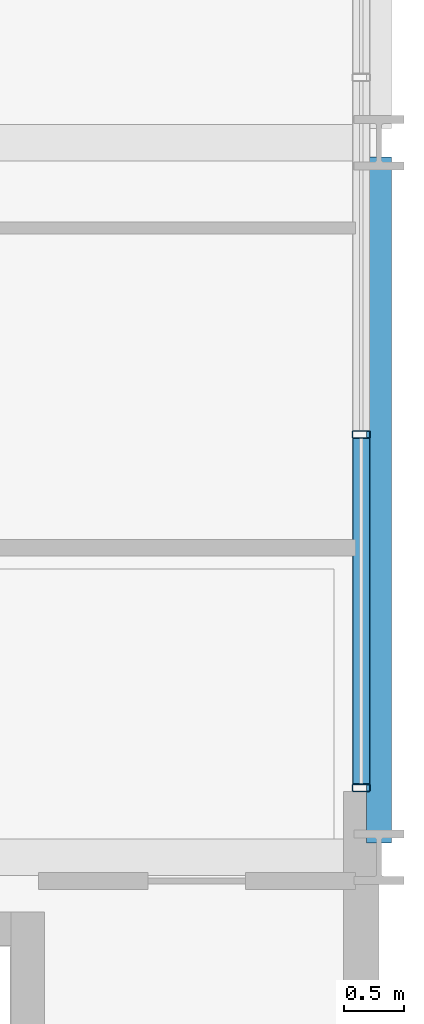
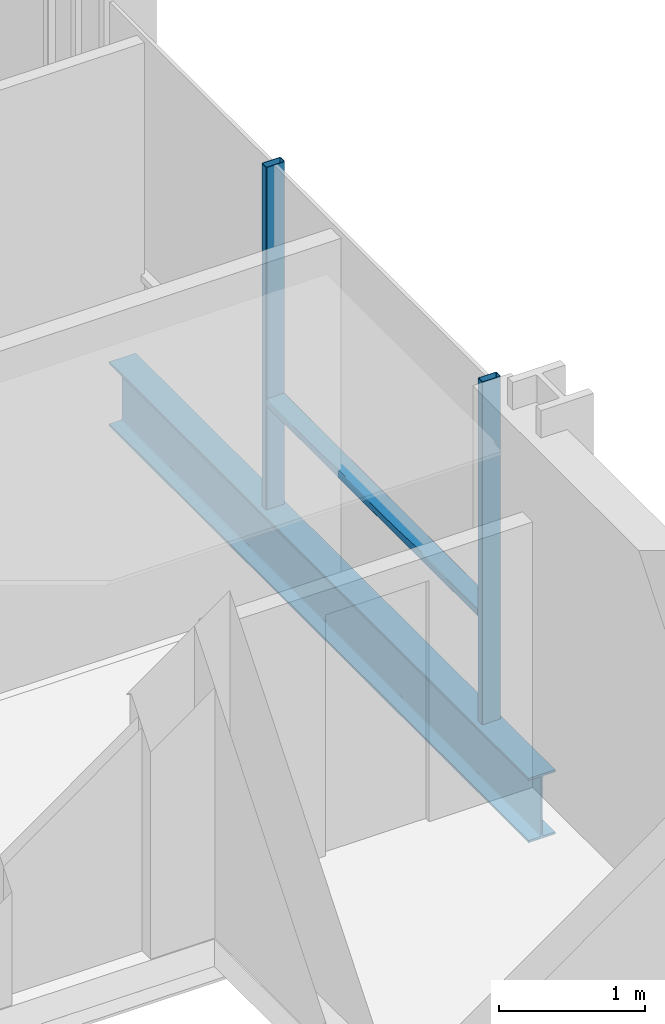
# One storey, part 15 of 41: 3 members, 1 beam, 1 element without a shape of its own.
"""IFC4 building model written with IfcOpenShell, lengths in metres."""

from ifc_helpers import new_model, si_unit, direction, frame, origin, origin_2d, place, context, subcontext, project, spatial, hollow_rectangle, i_section, extrude, material, layer, layer_set, material_profile, profile_set, type_object, element, aggregate, save


model = new_model("IFC4")

# Units and contexts
model_context = context("Model", 3, precision=1e-05, world=origin(), true_north=direction((0.0, 1.0)))
body_context = subcontext(model_context, "Body", "Model", "MODEL_VIEW")
ifc_project = project(units=[si_unit("LENGTHUNIT", "METRE"), si_unit("AREAUNIT", "SQUARE_METRE"), si_unit("VOLUMEUNIT", "CUBIC_METRE"), si_unit("PLANEANGLEUNIT", "RADIAN"), si_unit("MASSUNIT", "GRAM", prefix="KILO")], contexts=[model_context])

# Site, building, storey
site_placement = place(None, origin())
site = spatial("IfcSite", under=ifc_project, at=site_placement, CompositionType="ELEMENT")
building_placement = place(site_placement, origin())
building = spatial("IfcBuilding", under=site, at=building_placement, Name="Brevholm Reach", CompositionType="ELEMENT")
storey_placement = place(building_placement, frame((0.0, 0.0, 68.300048828125)))
storey = spatial("IfcBuildingStorey", under=building, at=storey_placement, Name="L19", CompositionType="ELEMENT", Elevation=68.300048828125)

# Beam
ifc_material_1 = material(Name="Structural Steel S355J2", Category="steel")
ifc_material_profile_1 = material_profile(ifc_material_1, i_section(OverallWidth=0.210693359375, OverallDepth=0.53955078125, WebThickness=0.01171875, FlangeThickness=0.018798828125, FilletRadius=0.0126953125, at=origin_2d()), Name="UKB 533x210x109")
ifc_profile_set_1 = profile_set([ifc_material_profile_1], Name="Structural Steel S355J2")
beam_type = type_object("IfcBeamType", Name="BM-SP539", PredefinedType="SPANDREL", material=ifc_profile_set_1)
beam_placement = place(storey_placement, frame((60.0, 10.1201171875, -0.499755859375), z_axis=(0.0, 1.0, 0.0), x_axis=(-1.0, 0.0, 0.0)))
element("IfcBeam", 1, at=beam_placement, inside=storey, type_object=beam_type, Name="L19 SP-01B Framing Beam", PredefinedType="SPANDREL", context=body_context, shape_type="SweptSolid", body=[
    extrude(i_section(OverallWidth=0.210693359375, OverallDepth=0.53955078125, WebThickness=0.01171875, FlangeThickness=0.018798828125, FilletRadius=0.0126953125, at=origin_2d()), origin(), (0.0, 0.0, 1.0), 5.759765625),
])

# Curtain wall, members
ifc_material_2 = material(Name="Dark Anodised Aluminium 6063-T6 and Solar-Control Glass", Category="aluminium")
ifc_layer = layer(ifc_material_2, 0.14990234375)
ifc_layer_set = layer_set([ifc_layer], Name="Dark Anodised Aluminium 6063-T6 and Solar-Control Glass")
curtain_wall_type = type_object("IfcCurtainWallType", Name="CW-01", PredefinedType="NOTDEFINED", material=ifc_layer_set)
curtain_wall_placement = place(storey_placement, origin())
curtain_wall = element("IfcCurtainWall", 2, at=curtain_wall_placement, inside=storey, type_object=curtain_wall_type, Name="L19 Curtain Wall CW-01", PredefinedType="NOTDEFINED")
ifc_material_3 = material(Name="Dark Anodised Aluminium 6063-T6", Category="aluminium")
ifc_material_profile_2 = material_profile(ifc_material_3, hollow_rectangle(XDim=0.06494140625, YDim=0.14990234375, WallThickness=0.0048828125, InnerFilletRadius=0.0048828125, OuterFilletRadius=0.010009765625, at=origin_2d()), Name="RHS 150x65x5")
ifc_profile_set_2 = profile_set([ifc_material_profile_2], Name="Dark Anodised Aluminium 6063-T6")
member_type_1 = type_object("IfcMemberType", Name="CWM-150", PredefinedType="MULLION", material=ifc_profile_set_2)
member_1_placement = place(storey_placement, frame((59.85009765625, 10.58251953125, 0.0), z_axis=(0.0, 0.0, 1.0), x_axis=(0.0, 1.0, 0.0)))
member_1 = element("IfcMember", 3, at=member_1_placement, type_object=member_type_1, Name="CM-150 Mullion 1", PredefinedType="MULLION", context=body_context, shape_type="SweptSolid", body=[
    extrude(hollow_rectangle(XDim=0.06494140625, YDim=0.14990234375, WallThickness=0.0048828125, InnerFilletRadius=0.0048828125, OuterFilletRadius=0.010009765625, at=origin_2d()), origin(), (0.0, 0.0, 1.0), 2.869873046875),
])
member_2_placement = place(storey_placement, frame((59.85009765625, 13.550048828125, 0.0), z_axis=(0.0, 0.0, 1.0), x_axis=(0.0, 1.0, 0.0)))
member_2 = element("IfcMember", 4, at=member_2_placement, type_object=member_type_1, Name="CM-150 Mullion 2", PredefinedType="MULLION", context=body_context, shape_type="SweptSolid", body=[
    extrude(hollow_rectangle(XDim=0.06494140625, YDim=0.14990234375, WallThickness=0.0048828125, InnerFilletRadius=0.0048828125, OuterFilletRadius=0.010009765625, at=origin_2d()), origin(), (0.0, 0.0, 1.0), 2.869873046875),
])
ifc_material_4 = material(Name="Dark Anodised Aluminium 6063-T6", Category="aluminium")
ifc_material_profile_3 = material_profile(ifc_material_4, hollow_rectangle(XDim=0.06494140625, YDim=0.14990234375, WallThickness=0.0048828125, InnerFilletRadius=0.0048828125, OuterFilletRadius=0.010009765625, at=origin_2d()), Name="RHS 150x65x5")
ifc_profile_set_3 = profile_set([ifc_material_profile_3], Name="Dark Anodised Aluminium 6063-T6")
member_type_2 = type_object("IfcMemberType", Name="CWT-150", PredefinedType="NOTDEFINED", material=ifc_profile_set_3)
member_3_placement = place(storey_placement, frame((59.85009765625, 10.614990234375, 0.89990234375), z_axis=(0.0, 1.0, 0.0), x_axis=(0.0, 0.0, 1.0)))
member_3 = element("IfcMember", 5, at=member_3_placement, type_object=member_type_2, Name="CT-150 Transom 1.1", ObjectType="TRANSOM", PredefinedType="USERDEFINED", context=body_context, shape_type="SweptSolid", body=[
    extrude(hollow_rectangle(XDim=0.06494140625, YDim=0.14990234375, WallThickness=0.0048828125, InnerFilletRadius=0.0048828125, OuterFilletRadius=0.010009765625, at=origin_2d()), origin(), (0.0, 0.0, 1.0), 2.902587890625),
])
aggregate(curtain_wall, [member_1, member_2, member_3])

save(model, "model.ifc")
